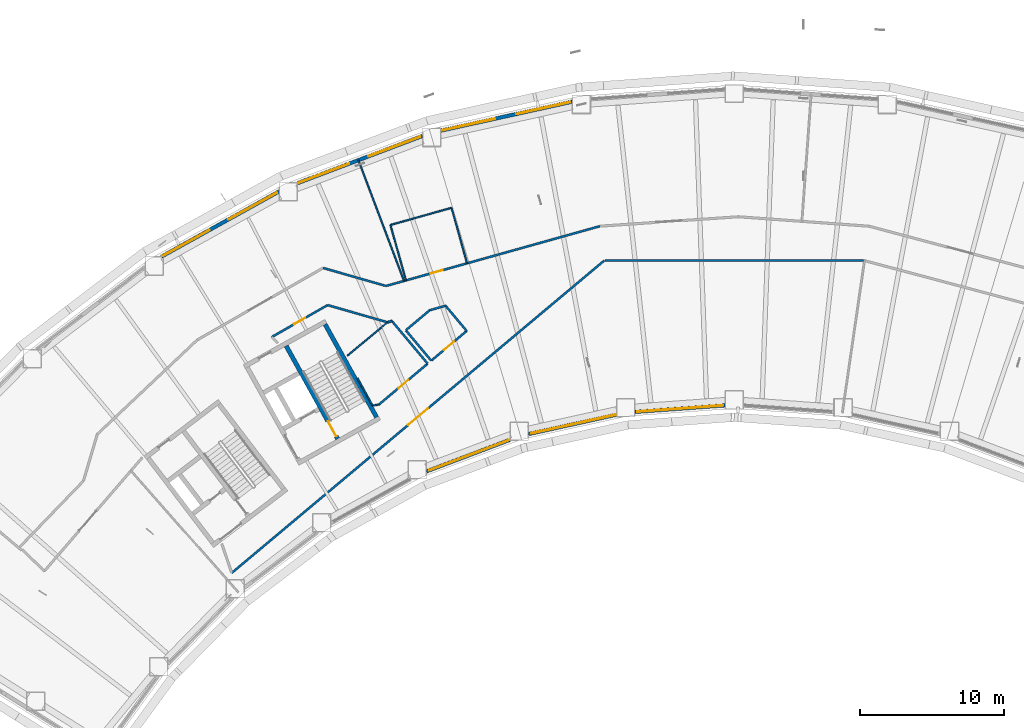
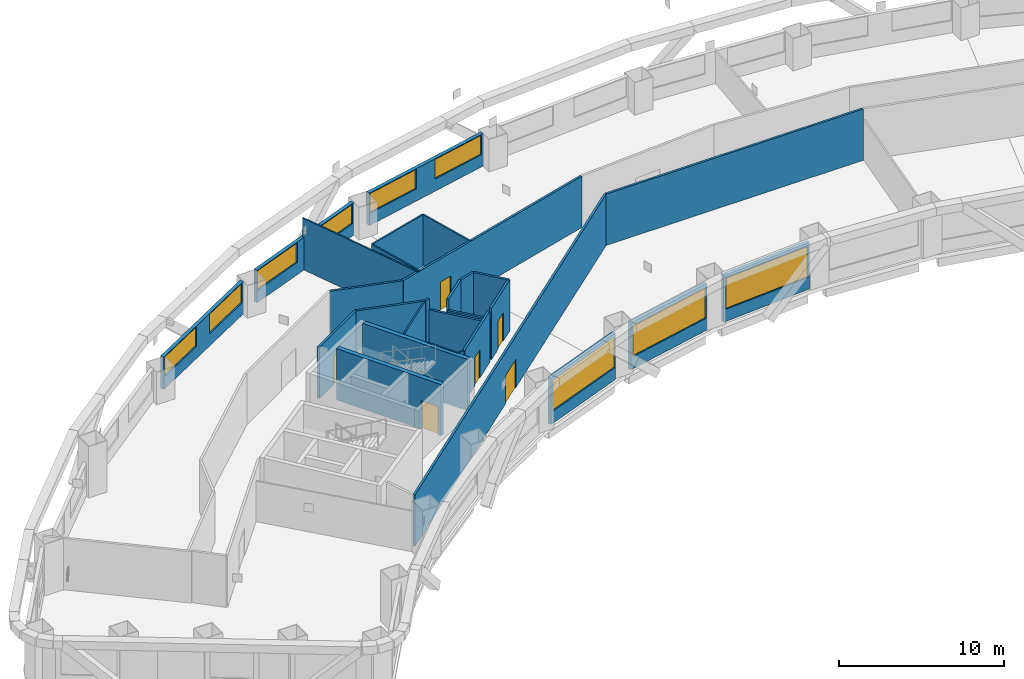
# One storey, part 4 of 19: 29 walls, 9 windows, 6 doors, 15 openings.
"""IFC4 building model written with IfcOpenShell, lengths in metres."""

from ifc_helpers import new_model, si_unit, direction, frame, frame_2d, origin, place, context, subcontext, project, spatial, rectangle, extrude, material, layer, layer_set, type_object, element, fill, save


model = new_model("IFC4")

# Units and contexts
model_context = context("Model", 3, precision=1e-05, world=origin(), true_north=direction((0.0, 1.0)))
body_context = subcontext(model_context, "Body", "Model", "MODEL_VIEW")
ifc_project = project(units=[si_unit("LENGTHUNIT", "METRE"), si_unit("AREAUNIT", "SQUARE_METRE"), si_unit("VOLUMEUNIT", "CUBIC_METRE"), si_unit("PLANEANGLEUNIT", "RADIAN"), si_unit("MASSUNIT", "GRAM", prefix="KILO")], contexts=[model_context])

# Site, building, storey
site_placement = place(None, origin())
site = spatial("IfcSite", under=ifc_project, at=site_placement, CompositionType="ELEMENT")
building_placement = place(site_placement, origin())
building = spatial("IfcBuilding", under=site, at=building_placement, Name="Tuul Gate Civic Tower", CompositionType="ELEMENT")
storey_placement = place(building_placement, frame((0.0, 0.0, 56.699951171875)))
storey = spatial("IfcBuildingStorey", under=building, at=storey_placement, Name="Level 12", CompositionType="ELEMENT", Elevation=56.699951171875)

# Wall
ifc_material_1 = material(Name="Concrete C50/60", Category="concrete")
ifc_layer_1 = layer(ifc_material_1, 0.300048828125)
ifc_layer_set_1 = layer_set([ifc_layer_1], Name="Concrete C50/60")
wall_type_1 = type_object("IfcWallType", Name="Core wall C50/60", PredefinedType="SHEAR", material=ifc_layer_set_1)
wall_1_placement = place(storey_placement, frame((-24.91552734375, -8.6572265625, 0.0), z_axis=(0.0, 0.0, 1.0), x_axis=(-0.484777133038, 0.874637714304, 0.0)))
element("IfcWall", 1, at=wall_1_placement, inside=storey, type_object=wall_type_1, Name="Core wall", PredefinedType="SHEAR", context=body_context, shape_type="SweptSolid", body=[
    extrude(rectangle(XDim=7.400146484375, YDim=0.300048828125, at=frame_2d((3.7001953125, 0.0))), origin(), (0.0, 0.0, 1.0), 3.800048828125),
])

# Wall, opening, door
wall_2_placement = place(storey_placement, frame((-27.626953125, -10.16015625, 0.0), z_axis=(0.0, 0.0, 1.0), x_axis=(-0.484751894226, 0.874651702704, 0.0)))
wall_2 = element("IfcWall", 2, at=wall_2_placement, inside=storey, type_object=wall_type_1, Name="Core wall", PredefinedType="SHEAR", context=body_context, shape_type="SweptSolid", body=[
    extrude(rectangle(XDim=7.39990234375, YDim=0.300048828125, at=frame_2d((3.699951171875, 0.0))), origin(), (0.0, 0.0, 1.0), 3.800048828125),
])
opening_1_placement = place(wall_2_placement, frame((0.199951171875, 0.0, 0.0)))
opening_1 = element("IfcOpeningElement", 3, at=opening_1_placement, cuts=wall_2, Name="Opening SD-ST-2", PredefinedType="OPENING", context=body_context, shape_type="SweptSolid", body=[
    extrude(rectangle(XDim=1.199951171875, YDim=2.10009765625, at=frame_2d((0.60009765625, 1.050048828125))), frame((0.0, 0.16015625, 0.0), z_axis=(0.0, -1.0, 0.0), x_axis=(1.0, 0.0, 0.0)), (0.0, 0.0, 1.0), 0.320068359375),
])
ifc_material_2 = material(Name="Steel", Category="steel")
door_type_1 = type_object("IfcDoorType", Name="Stair door", OperationType="NOTDEFINED", PredefinedType="DOOR", material=ifc_material_2)
door_1_placement = place(opening_1_placement, origin())
door_1 = element("IfcDoor", 4, at=door_1_placement, inside=storey, type_object=door_type_1, Name="Stair door ST-2", OperationType="SINGLE_SWING_LEFT", OverallHeight=2.10009765625, OverallWidth=1.199951171875, PredefinedType="DOOR", context=body_context, shape_type="SweptSolid", body=[
    extrude(rectangle(XDim=1.199951171875, YDim=2.10009765625, at=frame_2d((0.60009765625, 1.050048828125))), frame((0.0, 0.02490234375, 0.0), z_axis=(0.0, -1.0, 0.0), x_axis=(1.0, 0.0, 0.0)), (0.0, 0.0, 1.0), 0.050048828125),
])
fill(opening_1, door_1)

ifc_material_3 = material(Name="Gypsum board partition")
ifc_layer_2 = layer(ifc_material_3, 0.14990234375)
ifc_layer_set_2 = layer_set([ifc_layer_2], Name="Gypsum board partition")
wall_type_2 = type_object("IfcWallType", Name="Corridor wall P150", PredefinedType="PARTITIONING", material=ifc_layer_set_2)
wall_3_placement = place(storey_placement, frame((-24.25439453125, 0.48583984375, 0.0), z_axis=(0.0, 0.0, 1.0), x_axis=(0.963074488141, 0.269235083694, 0.0)))
wall_3 = element("IfcWall", 5, at=wall_3_placement, inside=storey, type_object=wall_type_2, Name="p030", PredefinedType="PARTITIONING", context=body_context, shape_type="SweptSolid", body=[
    extrude(rectangle(XDim=15.458984375, YDim=0.14990234375, at=frame_2d((7.7294921875, 0.0))), origin(), (0.0, 0.0, 1.0), 3.800048828125),
])
opening_2_placement = place(wall_3_placement, frame((3.197021484375, 0.0, 0.0)))
opening_2 = element("IfcOpeningElement", 6, at=opening_2_placement, cuts=wall_3, Name="Opening C-D04", PredefinedType="OPENING", context=body_context, shape_type="SweptSolid", body=[
    extrude(rectangle(XDim=0.89990234375, YDim=2.10009765625, at=frame_2d((0.449951171875, 1.050048828125))), frame((0.0, 0.0849609375, 0.0), z_axis=(0.0, -1.0, 0.0), x_axis=(1.0, 0.0, 0.0)), (0.0, 0.0, 1.0), 0.169921875),
])
ifc_material_4 = material(Name="Timber door leaf", Category="wood")
door_type_2 = type_object("IfcDoorType", Name="Door D09", OperationType="NOTDEFINED", PredefinedType="DOOR", material=ifc_material_4)
door_2_placement = place(opening_2_placement, origin())
door_2 = element("IfcDoor", 7, at=door_2_placement, inside=storey, type_object=door_type_2, Name="Door C-D04", OperationType="SINGLE_SWING_RIGHT", OverallHeight=2.10009765625, OverallWidth=0.89990234375, PredefinedType="DOOR", context=body_context, shape_type="SweptSolid", body=[
    extrude(rectangle(XDim=0.89990234375, YDim=2.10009765625, at=frame_2d((0.449951171875, 1.050048828125))), frame((0.0, 0.02490234375, 0.0), z_axis=(0.0, -1.0, 0.0), x_axis=(1.0, 0.0, 0.0)), (0.0, 0.0, 1.0), 0.050048828125),
])
fill(opening_2, door_2)

# Wall
wall_4_placement = place(storey_placement, frame((-28.640380859375, 1.739501953125, 0.0), z_axis=(0.0, 0.0, 1.0), x_axis=(0.961286670839, -0.275550243092, 0.0)))
element("IfcWall", 8, at=wall_4_placement, inside=storey, type_object=wall_type_2, Name="p034", PredefinedType="PARTITIONING", context=body_context, shape_type="SweptSolid", body=[
    extrude(rectangle(XDim=4.549560546875, YDim=0.14990234375, at=frame_2d((2.27490234375, 0.0))), origin(), (0.0, 0.0, 1.0), 3.800048828125),
])

# Wall, opening, door
wall_5_placement = place(storey_placement, frame((-35.001220703125, -19.499755859375, 0.0), z_axis=(0.0, 0.0, 1.0), x_axis=(0.766239076783, 0.642555582973, 0.0)))
wall_5 = element("IfcWall", 9, at=wall_5_placement, inside=storey, type_object=wall_type_2, Name="p049", PredefinedType="PARTITIONING", context=body_context, shape_type="SweptSolid", body=[
    extrude(rectangle(XDim=33.8525390625, YDim=0.14990234375, at=frame_2d((16.92626953125, 0.0))), origin(), (0.0, 0.0, 1.0), 3.800048828125),
])
opening_3_placement = place(wall_5_placement, frame((16.026123046875, 0.0, 0.0)))
opening_3 = element("IfcOpeningElement", 10, at=opening_3_placement, cuts=wall_5, Name="Opening C-D08", PredefinedType="OPENING", context=body_context, shape_type="SweptSolid", body=[
    extrude(rectangle(XDim=1.800048828125, YDim=2.10009765625, at=frame_2d((0.89990234375, 1.050048828125))), frame((0.0, 0.0849609375, 0.0), z_axis=(0.0, -1.0, 0.0), x_axis=(1.0, 0.0, 0.0)), (0.0, 0.0, 1.0), 0.169921875),
])
ifc_material_5 = material(Name="Timber door leaf, double", Category="wood")
door_type_3 = type_object("IfcDoorType", Name="Door D18", OperationType="DOUBLE_DOOR_SINGLE_SWING", PredefinedType="DOOR", material=ifc_material_5)
door_3_placement = place(opening_3_placement, frame((1.800048828125, 0.0, 0.0), z_axis=(0.0, 0.0, 1.0), x_axis=(-1.0, 0.0, 0.0)))
door_3 = element("IfcDoor", 11, at=door_3_placement, inside=storey, type_object=door_type_3, Name="Door C-D08", OperationType="DOUBLE_DOOR_SINGLE_SWING", OverallHeight=2.10009765625, OverallWidth=1.800048828125, PredefinedType="DOOR", context=body_context, shape_type="SweptSolid", body=[
    extrude(rectangle(XDim=1.800048828125, YDim=2.10009765625, at=frame_2d((0.900146484375, 1.050048828125))), frame((0.0, 0.02490234375, 0.0), z_axis=(0.0, -1.0, 0.0), x_axis=(1.0, 0.0, 0.0)), (0.0, 0.0, 1.0), 0.050048828125),
])
fill(opening_3, door_3)

# Walls
wall_6_placement = place(storey_placement, frame((-24.15625, -2.04248046875, 0.0), z_axis=(0.0, 0.0, 1.0), x_axis=(0.961698087877, 0.274110904151, 0.0)))
element("IfcWall", 12, at=wall_6_placement, inside=storey, type_object=wall_type_2, Name="p050", PredefinedType="PARTITIONING", context=body_context, shape_type="SweptSolid", body=[
    extrude(rectangle(XDim=0.317138671875, YDim=0.14990234375, at=frame_2d((0.15869140625, 0.0))), origin(), (0.0, 0.0, 1.0), 3.800048828125),
])
wall_7_placement = place(storey_placement, frame((-21.215576171875, -1.205078125, 0.0), z_axis=(0.0, 0.0, 1.0), x_axis=(0.961844919468, 0.273595231856, 0.0)))
element("IfcWall", 13, at=wall_7_placement, inside=storey, type_object=wall_type_2, Name="p051", PredefinedType="PARTITIONING", context=body_context, shape_type="SweptSolid", body=[
    extrude(rectangle(XDim=1.145751953125, YDim=0.14990234375, at=frame_2d((0.57275390625, 0.0))), origin(), (0.0, 0.0, 1.0), 3.800048828125),
])
wall_8_placement = place(storey_placement, frame((-9.018310546875, 2.265869140625, 0.0), z_axis=(0.0, 0.0, 1.0), x_axis=(0.999999990811, 0.000135561971, 0.0)))
element("IfcWall", 14, at=wall_8_placement, inside=storey, type_object=wall_type_2, Name="p052", PredefinedType="PARTITIONING", context=body_context, shape_type="SweptSolid", body=[
    extrude(rectangle(XDim=18.009521484375, YDim=0.14990234375, at=frame_2d((9.0048828125, 0.0))), origin(), (0.0, 0.0, 1.0), 3.800048828125),
])
wall_9_placement = place(storey_placement, frame((-20.113525390625, -0.8916015625, 0.0), z_axis=(0.0, 0.0, 1.0), x_axis=(0.642569904563, -0.766227066704, 0.0)))
element("IfcWall", 15, at=wall_9_placement, inside=storey, type_object=wall_type_2, Name="p053", PredefinedType="PARTITIONING", context=body_context, shape_type="SweptSolid", body=[
    extrude(rectangle(XDim=2.292236328125, YDim=0.14990234375, at=frame_2d((1.14599609375, 0.0))), origin(), (0.0, 0.0, 1.0), 3.800048828125),
])

# Wall, opening, door
wall_10_placement = place(storey_placement, frame((-24.7529296875, -7.773681640625, 0.0), z_axis=(0.0, 0.0, 1.0), x_axis=(0.766230053811, 0.642566342595, 0.0)))
wall_10 = element("IfcWall", 16, at=wall_10_placement, inside=storey, type_object=wall_type_2, Name="p054", PredefinedType="PARTITIONING", context=body_context, shape_type="SweptSolid", body=[
    extrude(rectangle(XDim=4.43017578125, YDim=0.14990234375, at=frame_2d((2.215087890625, 0.0))), origin(), (0.0, 0.0, 1.0), 3.800048828125),
])
opening_4_placement = place(wall_10_placement, frame((1.764892578125, 0.0, 0.0)))
opening_4 = element("IfcOpeningElement", 17, at=opening_4_placement, cuts=wall_10, Name="Opening C-D11", PredefinedType="OPENING", context=body_context, shape_type="SweptSolid", body=[
    extrude(rectangle(XDim=0.89990234375, YDim=2.10009765625, at=frame_2d((0.449951171875, 1.050048828125))), frame((0.0, 0.0849609375, 0.0), z_axis=(0.0, -1.0, 0.0), x_axis=(1.0, 0.0, 0.0)), (0.0, 0.0, 1.0), 0.169921875),
])
door_4_placement = place(opening_4_placement, origin())
door_4 = element("IfcDoor", 18, at=door_4_placement, inside=storey, type_object=door_type_2, Name="Door C-D11", OperationType="SINGLE_SWING_RIGHT", OverallHeight=2.10009765625, OverallWidth=0.89990234375, PredefinedType="DOOR", context=body_context, shape_type="SweptSolid", body=[
    extrude(rectangle(XDim=0.89990234375, YDim=2.10009765625, at=frame_2d((0.449951171875, 1.050048828125))), frame((0.0, 0.02490234375, 0.0), z_axis=(0.0, -1.0, 0.0), x_axis=(1.0, 0.0, 0.0)), (0.0, 0.0, 1.0), 0.050048828125),
])
fill(opening_4, door_4)

wall_11_placement = place(storey_placement, frame((-21.10791015625, -4.717041015625, 0.0), z_axis=(0.0, 0.0, 1.0), x_axis=(0.766228872485, 0.642567751268, 0.0)))
wall_11 = element("IfcWall", 19, at=wall_11_placement, inside=storey, type_object=wall_type_2, Name="p055", PredefinedType="PARTITIONING", context=body_context, shape_type="SweptSolid", body=[
    extrude(rectangle(XDim=3.219970703125, YDim=0.14990234375, at=frame_2d((1.60986328125, 0.0))), origin(), (0.0, 0.0, 1.0), 3.800048828125),
])
opening_5_placement = place(wall_11_placement, frame((1.159912109375, 0.0, 0.0)))
opening_5 = element("IfcOpeningElement", 20, at=opening_5_placement, cuts=wall_11, Name="Opening C-D10", PredefinedType="OPENING", context=body_context, shape_type="SweptSolid", body=[
    extrude(rectangle(XDim=0.89990234375, YDim=2.10009765625, at=frame_2d((0.449951171875, 1.050048828125))), frame((0.0, 0.0849609375, 0.0), z_axis=(0.0, -1.0, 0.0), x_axis=(1.0, 0.0, 0.0)), (0.0, 0.0, 1.0), 0.169921875),
])
door_5_placement = place(opening_5_placement, origin())
door_5 = element("IfcDoor", 21, at=door_5_placement, inside=storey, type_object=door_type_2, Name="Door C-D10", OperationType="SINGLE_SWING_RIGHT", OverallHeight=2.10009765625, OverallWidth=0.89990234375, PredefinedType="DOOR", context=body_context, shape_type="SweptSolid", body=[
    extrude(rectangle(XDim=0.89990234375, YDim=2.10009765625, at=frame_2d((0.449951171875, 1.050048828125))), frame((0.0, 0.02490234375, 0.0), z_axis=(0.0, -1.0, 0.0), x_axis=(1.0, 0.0, 0.0)), (0.0, 0.0, 1.0), 0.050048828125),
])
fill(opening_5, door_5)

# Walls
wall_12_placement = place(storey_placement, frame((-22.88134765625, -2.602294921875, 0.0), z_axis=(0.0, 0.0, 1.0), x_axis=(0.766164790062, 0.642644158512, 0.0)))
element("IfcWall", 22, at=wall_12_placement, inside=storey, type_object=wall_type_2, Name="p057", PredefinedType="PARTITIONING", context=body_context, shape_type="SweptSolid", body=[
    extrude(rectangle(XDim=2.174072265625, YDim=0.14990234375, at=frame_2d((1.0869140625, 0.0))), origin(), (0.0, 0.0, 1.0), 3.800048828125),
])
wall_13_placement = place(storey_placement, frame((-28.328857421875, -0.8466796875, 0.0), z_axis=(0.0, 0.0, 1.0), x_axis=(0.961313524607, -0.275456543593, 0.0)))
element("IfcWall", 23, at=wall_13_placement, inside=storey, type_object=wall_type_2, Name="p059", PredefinedType="PARTITIONING", context=body_context, shape_type="SweptSolid", body=[
    extrude(rectangle(XDim=4.34033203125, YDim=0.14990234375, at=frame_2d((2.170166015625, 0.0))), origin(), (0.0, 0.0, 1.0), 3.800048828125),
])

# Wall, opening, door
wall_14_placement = place(storey_placement, frame((-32.216552734375, -3.0703125, 0.0), z_axis=(0.0, 0.0, 1.0), x_axis=(0.868041797292, 0.496491125957, 0.0)))
wall_14 = element("IfcWall", 24, at=wall_14_placement, inside=storey, type_object=wall_type_2, Name="p060", PredefinedType="PARTITIONING", context=body_context, shape_type="SweptSolid", body=[
    extrude(rectangle(XDim=4.478759765625, YDim=0.14990234375, at=frame_2d((2.2392578125, 0.0))), origin(), (0.0, 0.0, 1.0), 3.800048828125),
])
opening_6_placement = place(wall_14_placement, frame((1.789306640625, 0.0, 0.0)))
opening_6 = element("IfcOpeningElement", 25, at=opening_6_placement, cuts=wall_14, Name="Opening C-D12", PredefinedType="OPENING", context=body_context, shape_type="SweptSolid", body=[
    extrude(rectangle(XDim=0.89990234375, YDim=2.10009765625, at=frame_2d((0.449951171875, 1.050048828125))), frame((0.0, 0.0849609375, 0.0), z_axis=(0.0, -1.0, 0.0), x_axis=(1.0, 0.0, 0.0)), (0.0, 0.0, 1.0), 0.169921875),
])
door_6_placement = place(opening_6_placement, origin())
door_6 = element("IfcDoor", 26, at=door_6_placement, inside=storey, type_object=door_type_2, Name="Door C-D12", OperationType="SINGLE_SWING_RIGHT", OverallHeight=2.10009765625, OverallWidth=0.89990234375, PredefinedType="DOOR", context=body_context, shape_type="SweptSolid", body=[
    extrude(rectangle(XDim=0.89990234375, YDim=2.10009765625, at=frame_2d((0.449951171875, 1.050048828125))), frame((0.0, 0.02490234375, 0.0), z_axis=(0.0, -1.0, 0.0), x_axis=(1.0, 0.0, 0.0)), (0.0, 0.0, 1.0), 0.050048828125),
])
fill(opening_6, door_6)

# Walls
ifc_material_6 = material(Name="Gypsum board partition")
ifc_layer_3 = layer(ifc_material_6, 0.14990234375)
ifc_layer_set_3 = layer_set([ifc_layer_3], Name="Gypsum board partition")
wall_type_3 = type_object("IfcWallType", Name="Corridor wall P150 3000 HIGH", PredefinedType="PARTITIONING", material=ifc_layer_set_3)
wall_15_placement = place(storey_placement, frame((-22.88134765625, -2.602294921875, 0.0), z_axis=(0.0, 0.0, 1.0), x_axis=(0.642565356488, -0.766230880768, 0.0)))
element("IfcWall", 27, at=wall_15_placement, inside=storey, type_object=wall_type_3, Name="p056", PredefinedType="PARTITIONING", context=body_context, shape_type="SweptSolid", body=[
    extrude(rectangle(XDim=2.760009765625, YDim=0.14990234375, at=frame_2d((1.3798828125, 0.0))), origin(), (0.0, 0.0, 1.0), 3.0),
])
wall_16_placement = place(storey_placement, frame((-23.851318359375, -1.95556640625, 0.0), z_axis=(0.0, 0.0, 1.0), x_axis=(0.642725493396, -0.766096560584, 0.0)))
element("IfcWall", 28, at=wall_16_placement, inside=storey, type_object=wall_type_3, Name="p058", PredefinedType="PARTITIONING", context=body_context, shape_type="SweptSolid", body=[
    extrude(rectangle(XDim=3.878662109375, YDim=0.14990234375, at=frame_2d((1.939453125, 0.0))), origin(), (0.0, 0.0, 1.0), 3.0),
])

# Wall, opening, window
ifc_material_7 = material(Name="Precast concrete C40/50", Category="concrete")
ifc_layer_4 = layer(ifc_material_7, 0.25)
ifc_layer_set_4 = layer_set([ifc_layer_4], Name="Precast concrete C40/50")
wall_type_4 = type_object("IfcWallType", Name="External wall", PredefinedType="STANDARD", material=ifc_layer_set_4)
wall_17_placement = place(storey_placement, frame((-21.43701171875, -12.426513671875, 0.0), z_axis=(0.0, 0.0, 1.0), x_axis=(0.935359836581, 0.353697577193, 0.0)))
wall_17 = element("IfcWall", 29, at=wall_17_placement, inside=storey, type_object=wall_type_4, Name="External wall", PredefinedType="STANDARD", context=body_context, shape_type="SweptSolid", body=[
    extrude(rectangle(XDim=6.201904296875, YDim=0.25, at=frame_2d((3.10107421875, 0.0))), origin(), (0.0, 0.0, 1.0), 3.449951171875),
])
opening_7_placement = place(wall_17_placement, frame((0.2060546875, 0.0, 0.89990234375)))
opening_7 = element("IfcOpeningElement", 30, at=opening_7_placement, cuts=wall_17, Name="Opening W101", PredefinedType="OPENING", context=body_context, shape_type="SweptSolid", body=[
    extrude(rectangle(XDim=5.949951171875, YDim=2.300048828125, at=frame_2d((2.97509765625, 1.14990234375))), frame((0.0, 0.135009765625, 0.0), z_axis=(0.0, -1.0, 0.0), x_axis=(1.0, 0.0, 0.0)), (0.0, 0.0, 1.0), 0.27001953125),
])
ifc_material_8 = material(Name="Glass", Category="glass")
window_type_1 = type_object("IfcWindowType", Name="Window W101 5950 x 2300", PartitioningType="SINGLE_PANEL", PredefinedType="WINDOW", material=ifc_material_8)
window_1_placement = place(opening_7_placement, origin())
window_1 = element("IfcWindow", 31, at=window_1_placement, inside=storey, type_object=window_type_1, Name="Window", OverallHeight=2.300048828125, OverallWidth=5.949951171875, PartitioningType="SINGLE_PANEL", PredefinedType="WINDOW", context=body_context, shape_type="SweptSolid", body=[
    extrude(rectangle(XDim=5.949951171875, YDim=2.300048828125, at=frame_2d((2.97509765625, 1.14990234375))), frame((0.0, 0.030029296875, 0.0), z_axis=(0.0, -1.0, 0.0), x_axis=(1.0, 0.0, 0.0)), (0.0, 0.0, 1.0), 0.06005859375),
])
fill(opening_7, window_1)

wall_18_placement = place(storey_placement, frame((-14.3359375, -9.8291015625, 0.0), z_axis=(0.0, 0.0, 1.0), x_axis=(0.97656633669, 0.215216611915, 0.0)))
wall_18 = element("IfcWall", 32, at=wall_18_placement, inside=storey, type_object=wall_type_4, Name="External wall", PredefinedType="STANDARD", context=body_context, shape_type="SweptSolid", body=[
    extrude(rectangle(XDim=6.2607421875, YDim=0.25, at=frame_2d((3.13037109375, 0.0))), origin(), (0.0, 0.0, 1.0), 3.449951171875),
])
opening_8_placement = place(wall_18_placement, frame((0.2021484375, 0.0, 0.89990234375)))
opening_8 = element("IfcOpeningElement", 33, at=opening_8_placement, cuts=wall_18, Name="Opening W26", PredefinedType="OPENING", context=body_context, shape_type="SweptSolid", body=[
    extrude(rectangle(XDim=6.0, YDim=2.300048828125, at=frame_2d((3.0, 1.14990234375))), frame((0.0, 0.135009765625, 0.0), z_axis=(0.0, -1.0, 0.0), x_axis=(1.0, 0.0, 0.0)), (0.0, 0.0, 1.0), 0.27001953125),
])
ifc_material_9 = material(Name="Glass", Category="glass")
window_type_2 = type_object("IfcWindowType", Name="Window W26 6000 x 2300", PartitioningType="SINGLE_PANEL", PredefinedType="WINDOW", material=ifc_material_9)
window_2_placement = place(opening_8_placement, origin())
window_2 = element("IfcWindow", 34, at=window_2_placement, inside=storey, type_object=window_type_2, Name="Window", OverallHeight=2.300048828125, OverallWidth=6.0, PartitioningType="SINGLE_PANEL", PredefinedType="WINDOW", context=body_context, shape_type="SweptSolid", body=[
    extrude(rectangle(XDim=6.0, YDim=2.300048828125, at=frame_2d((3.0, 1.14990234375))), frame((0.0, 0.030029296875, 0.0), z_axis=(0.0, -1.0, 0.0), x_axis=(1.0, 0.0, 0.0)), (0.0, 0.0, 1.0), 0.06005859375),
])
fill(opening_8, window_2)

wall_19_placement = place(storey_placement, frame((-6.922119140625, -8.284423828125, 0.0), z_axis=(0.0, 0.0, 1.0), x_axis=(0.997395047269, 0.072132653374, 0.0)))
wall_19 = element("IfcWall", 35, at=wall_19_placement, inside=storey, type_object=wall_type_4, Name="External wall", PredefinedType="STANDARD", context=body_context, shape_type="SweptSolid", body=[
    extrude(rectangle(XDim=6.28857421875, YDim=0.25, at=frame_2d((3.144287109375, 0.0))), origin(), (0.0, 0.0, 1.0), 3.449951171875),
])
opening_9_placement = place(wall_19_placement, frame((0.167724609375, 0.0, 0.89990234375)))
opening_9 = element("IfcOpeningElement", 36, at=opening_9_placement, cuts=wall_19, Name="Opening W26", PredefinedType="OPENING", context=body_context, shape_type="SweptSolid", body=[
    extrude(rectangle(XDim=6.0, YDim=2.300048828125, at=frame_2d((3.0, 1.14990234375))), frame((0.0, 0.135009765625, 0.0), z_axis=(0.0, -1.0, 0.0), x_axis=(1.0, 0.0, 0.0)), (0.0, 0.0, 1.0), 0.27001953125),
])
window_3_placement = place(opening_9_placement, origin())
window_3 = element("IfcWindow", 37, at=window_3_placement, inside=storey, type_object=window_type_2, Name="Window", OverallHeight=2.300048828125, OverallWidth=6.0, PartitioningType="SINGLE_PANEL", PredefinedType="WINDOW", context=body_context, shape_type="SweptSolid", body=[
    extrude(rectangle(XDim=6.0, YDim=2.300048828125, at=frame_2d((3.0, 1.14990234375))), frame((0.0, 0.030029296875, 0.0), z_axis=(0.0, -1.0, 0.0), x_axis=(1.0, 0.0, 0.0)), (0.0, 0.0, 1.0), 0.06005859375),
])
fill(opening_9, window_3)

# Wall, openings, windows
ifc_material_10 = material(Name="Precast concrete C40/50", Category="concrete")
ifc_layer_5 = layer(ifc_material_10, 0.25)
ifc_layer_set_5 = layer_set([ifc_layer_5], Name="Precast concrete C40/50")
wall_type_5 = type_object("IfcWallType", Name="External wall 2400 HIGH", PredefinedType="STANDARD", material=ifc_layer_set_5)
wall_20_placement = place(storey_placement, frame((-11.299072265625, 13.317138671875, 0.0), z_axis=(0.0, 0.0, 1.0), x_axis=(-0.97654219172, -0.215326142841, 0.0)))
wall_20 = element("IfcWall", 38, at=wall_20_placement, inside=storey, type_object=wall_type_5, Name="External wall", PredefinedType="STANDARD", context=body_context, shape_type="SweptSolid", body=[
    extrude(rectangle(XDim=9.34716796875, YDim=0.25, at=frame_2d((4.673583984375, 0.0))), origin(), (0.0, 0.0, 1.0), 2.400146484375),
])
opening_10_placement = place(wall_20_placement, frame((0.134033203125, 0.0, 0.89990234375)))
opening_10 = element("IfcOpeningElement", 39, at=opening_10_placement, cuts=wall_20, Name="Opening W103", PredefinedType="OPENING", context=body_context, shape_type="SweptSolid", body=[
    extrude(rectangle(XDim=3.85009765625, YDim=1.449951171875, at=frame_2d((1.925048828125, 0.72509765625))), frame((0.0, 0.135009765625, 0.0), z_axis=(0.0, -1.0, 0.0), x_axis=(1.0, 0.0, 0.0)), (0.0, 0.0, 1.0), 0.27001953125),
])
opening_11_placement = place(wall_20_placement, frame((5.5029296875, 0.0, 0.89990234375)))
opening_11 = element("IfcOpeningElement", 40, at=opening_11_placement, cuts=wall_20, Name="Opening W105", PredefinedType="OPENING", context=body_context, shape_type="SweptSolid", body=[
    extrude(rectangle(XDim=3.800048828125, YDim=1.449951171875, at=frame_2d((1.89990234375, 0.72509765625))), frame((0.0, 0.135009765625, 0.0), z_axis=(0.0, -1.0, 0.0), x_axis=(1.0, 0.0, 0.0)), (0.0, 0.0, 1.0), 0.27001953125),
])
ifc_material_11 = material(Name="Glass", Category="glass")
window_type_3 = type_object("IfcWindowType", Name="Window W103 3850 x 1450", PartitioningType="SINGLE_PANEL", PredefinedType="WINDOW", material=ifc_material_11)
window_4_placement = place(opening_10_placement, origin())
window_4 = element("IfcWindow", 41, at=window_4_placement, inside=storey, type_object=window_type_3, Name="Window", OverallHeight=1.449951171875, OverallWidth=3.85009765625, PartitioningType="SINGLE_PANEL", PredefinedType="WINDOW", context=body_context, shape_type="SweptSolid", body=[
    extrude(rectangle(XDim=3.85009765625, YDim=1.449951171875, at=frame_2d((1.925048828125, 0.72509765625))), frame((0.0, 0.030029296875, 0.0), z_axis=(0.0, -1.0, 0.0), x_axis=(1.0, 0.0, 0.0)), (0.0, 0.0, 1.0), 0.06005859375),
])
fill(opening_10, window_4)
ifc_material_12 = material(Name="Glass", Category="glass")
window_type_4 = type_object("IfcWindowType", Name="Window W105 3800 x 1450", PartitioningType="SINGLE_PANEL", PredefinedType="WINDOW", material=ifc_material_12)
window_5_placement = place(opening_11_placement, origin())
window_5 = element("IfcWindow", 42, at=window_5_placement, inside=storey, type_object=window_type_4, Name="Window", OverallHeight=1.449951171875, OverallWidth=3.800048828125, PartitioningType="SINGLE_PANEL", PredefinedType="WINDOW", context=body_context, shape_type="SweptSolid", body=[
    extrude(rectangle(XDim=3.800048828125, YDim=1.449951171875, at=frame_2d((1.89990234375, 0.72509765625))), frame((0.0, 0.030029296875, 0.0), z_axis=(0.0, -1.0, 0.0), x_axis=(1.0, 0.0, 0.0)), (0.0, 0.0, 1.0), 0.06005859375),
])
fill(opening_11, window_5)

wall_21_placement = place(storey_placement, frame((-21.72705078125, 10.929931640625, 0.0), z_axis=(0.0, 0.0, 1.0), x_axis=(-0.93537723485, -0.353651563724, 0.0)))
wall_21 = element("IfcWall", 43, at=wall_21_placement, inside=storey, type_object=wall_type_5, Name="External wall", PredefinedType="STANDARD", context=body_context, shape_type="SweptSolid", body=[
    extrude(rectangle(XDim=9.287109375, YDim=0.25, at=frame_2d((4.6435546875, 0.0))), origin(), (0.0, 0.0, 1.0), 2.400146484375),
])
opening_12_placement = place(wall_21_placement, frame((0.155029296875, 0.0, 0.89990234375)))
opening_12 = element("IfcOpeningElement", 44, at=opening_12_placement, cuts=wall_21, Name="Opening W103", PredefinedType="OPENING", context=body_context, shape_type="SweptSolid", body=[
    extrude(rectangle(XDim=3.85009765625, YDim=1.449951171875, at=frame_2d((1.925048828125, 0.72509765625))), frame((0.0, 0.135009765625, 0.0), z_axis=(0.0, -1.0, 0.0), x_axis=(1.0, 0.0, 0.0)), (0.0, 0.0, 1.0), 0.27001953125),
])
opening_13_placement = place(wall_21_placement, frame((5.44091796875, 0.0, 0.89990234375)))
opening_13 = element("IfcOpeningElement", 45, at=opening_13_placement, cuts=wall_21, Name="Opening W105", PredefinedType="OPENING", context=body_context, shape_type="SweptSolid", body=[
    extrude(rectangle(XDim=3.800048828125, YDim=1.449951171875, at=frame_2d((1.89990234375, 0.72509765625))), frame((0.0, 0.135009765625, 0.0), z_axis=(0.0, -1.0, 0.0), x_axis=(1.0, 0.0, 0.0)), (0.0, 0.0, 1.0), 0.27001953125),
])
window_6_placement = place(opening_12_placement, origin())
window_6 = element("IfcWindow", 46, at=window_6_placement, inside=storey, type_object=window_type_3, Name="Window", OverallHeight=1.449951171875, OverallWidth=3.85009765625, PartitioningType="SINGLE_PANEL", PredefinedType="WINDOW", context=body_context, shape_type="SweptSolid", body=[
    extrude(rectangle(XDim=3.85009765625, YDim=1.449951171875, at=frame_2d((1.925048828125, 0.72509765625))), frame((0.0, 0.030029296875, 0.0), z_axis=(0.0, -1.0, 0.0), x_axis=(1.0, 0.0, 0.0)), (0.0, 0.0, 1.0), 0.06005859375),
])
fill(opening_12, window_6)
window_7_placement = place(opening_13_placement, origin())
window_7 = element("IfcWindow", 47, at=window_7_placement, inside=storey, type_object=window_type_4, Name="Window", OverallHeight=1.449951171875, OverallWidth=3.800048828125, PartitioningType="SINGLE_PANEL", PredefinedType="WINDOW", context=body_context, shape_type="SweptSolid", body=[
    extrude(rectangle(XDim=3.800048828125, YDim=1.449951171875, at=frame_2d((1.89990234375, 0.72509765625))), frame((0.0, 0.030029296875, 0.0), z_axis=(0.0, -1.0, 0.0), x_axis=(1.0, 0.0, 0.0)), (0.0, 0.0, 1.0), 0.06005859375),
])
fill(opening_13, window_7)

wall_22_placement = place(storey_placement, frame((-31.714111328125, 7.0634765625, 0.0), z_axis=(0.0, 0.0, 1.0), x_axis=(-0.87462564428, -0.484798909206, 0.0)))
wall_22 = element("IfcWall", 48, at=wall_22_placement, inside=storey, type_object=wall_type_5, Name="External wall", PredefinedType="STANDARD", context=body_context, shape_type="SweptSolid", body=[
    extrude(rectangle(XDim=9.35986328125, YDim=0.25, at=frame_2d((4.679931640625, 0.0))), origin(), (0.0, 0.0, 1.0), 2.400146484375),
])
opening_14_placement = place(wall_22_placement, frame((0.1640625, 0.0, 0.89990234375)))
opening_14 = element("IfcOpeningElement", 49, at=opening_14_placement, cuts=wall_22, Name="Opening W103", PredefinedType="OPENING", context=body_context, shape_type="SweptSolid", body=[
    extrude(rectangle(XDim=3.85009765625, YDim=1.449951171875, at=frame_2d((1.925048828125, 0.72509765625))), frame((0.0, 0.135009765625, 0.0), z_axis=(0.0, -1.0, 0.0), x_axis=(1.0, 0.0, 0.0)), (0.0, 0.0, 1.0), 0.27001953125),
])
opening_15_placement = place(wall_22_placement, frame((5.51708984375, 0.0, 0.89990234375)))
opening_15 = element("IfcOpeningElement", 50, at=opening_15_placement, cuts=wall_22, Name="Opening W104", PredefinedType="OPENING", context=body_context, shape_type="SweptSolid", body=[
    extrude(rectangle(XDim=3.75, YDim=1.449951171875, at=frame_2d((1.875, 0.72509765625))), frame((0.0, 0.135009765625, 0.0), z_axis=(0.0, -1.0, 0.0), x_axis=(1.0, 0.0, 0.0)), (0.0, 0.0, 1.0), 0.27001953125),
])
window_8_placement = place(opening_14_placement, origin())
window_8 = element("IfcWindow", 51, at=window_8_placement, inside=storey, type_object=window_type_3, Name="Window", OverallHeight=1.449951171875, OverallWidth=3.85009765625, PartitioningType="SINGLE_PANEL", PredefinedType="WINDOW", context=body_context, shape_type="SweptSolid", body=[
    extrude(rectangle(XDim=3.85009765625, YDim=1.449951171875, at=frame_2d((1.925048828125, 0.72509765625))), frame((0.0, 0.030029296875, 0.0), z_axis=(0.0, -1.0, 0.0), x_axis=(1.0, 0.0, 0.0)), (0.0, 0.0, 1.0), 0.06005859375),
])
fill(opening_14, window_8)
ifc_material_13 = material(Name="Glass", Category="glass")
window_type_5 = type_object("IfcWindowType", Name="Window W104 3750 x 1450", PartitioningType="SINGLE_PANEL", PredefinedType="WINDOW", material=ifc_material_13)
window_9_placement = place(opening_15_placement, origin())
window_9 = element("IfcWindow", 52, at=window_9_placement, inside=storey, type_object=window_type_5, Name="Window", OverallHeight=1.449951171875, OverallWidth=3.75, PartitioningType="SINGLE_PANEL", PredefinedType="WINDOW", context=body_context, shape_type="SweptSolid", body=[
    extrude(rectangle(XDim=3.75, YDim=1.449951171875, at=frame_2d((1.875, 0.72509765625))), frame((0.0, 0.030029296875, 0.0), z_axis=(0.0, -1.0, 0.0), x_axis=(1.0, 0.0, 0.0)), (0.0, 0.0, 1.0), 0.06005859375),
])
fill(opening_15, window_9)

# Walls
ifc_material_14 = material(Name="Gypsum board partition")
ifc_layer_6 = layer(ifc_material_14, 0.10009765625)
ifc_layer_set_6 = layer_set([ifc_layer_6], Name="Gypsum board partition")
wall_type_6 = type_object("IfcWallType", Name="Partition P100", PredefinedType="PARTITIONING", material=ifc_layer_set_6)
wall_23_placement = place(storey_placement, frame((-19.692626953125, 5.92578125, 0.0), z_axis=(0.0, 0.0, 1.0), x_axis=(0.269225760863, -0.963077094364, 0.0)))
element("IfcWall", 53, at=wall_23_placement, inside=storey, type_object=wall_type_6, Name="p026", PredefinedType="PARTITIONING", context=body_context, shape_type="SweptSolid", body=[
    extrude(rectangle(XDim=4.010986328125, YDim=0.10009765625, at=frame_2d((2.00537109375, 0.0))), origin(), (0.0, 0.0, 1.0), 3.800048828125),
])
wall_24_placement = place(storey_placement, frame((-23.951416015625, 4.7353515625, 0.0), z_axis=(0.0, 0.0, 1.0), x_axis=(0.963083192208, 0.269203946641, 0.0)))
element("IfcWall", 54, at=wall_24_placement, inside=storey, type_object=wall_type_6, Name="p027", PredefinedType="PARTITIONING", context=body_context, shape_type="SweptSolid", body=[
    extrude(rectangle(XDim=4.422119140625, YDim=0.10009765625, at=frame_2d((2.2109375, 0.0))), origin(), (0.0, 0.0, 1.0), 3.800048828125),
])
wall_25_placement = place(storey_placement, frame((-23.951416015625, 4.7353515625, 0.0), z_axis=(0.0, 0.0, 1.0), x_axis=(0.269209979196, -0.963081505949, 0.0)))
element("IfcWall", 55, at=wall_25_placement, inside=storey, type_object=wall_type_6, Name="p028", PredefinedType="PARTITIONING", context=body_context, shape_type="SweptSolid", body=[
    extrude(rectangle(XDim=4.01123046875, YDim=0.10009765625, at=frame_2d((2.005615234375, 0.0))), origin(), (0.0, 0.0, 1.0), 3.800048828125),
])
wall_26_placement = place(storey_placement, frame((-26.186767578125, 9.249267578125, 0.0), z_axis=(0.0, 0.0, 1.0), x_axis=(0.353715637754, -0.935353006949, 0.0)))
element("IfcWall", 56, at=wall_26_placement, inside=storey, type_object=wall_type_6, Name="p029", PredefinedType="PARTITIONING", context=body_context, shape_type="SweptSolid", body=[
    extrude(rectangle(XDim=8.99560546875, YDim=0.10009765625, at=frame_2d((4.497802734375, 0.0))), origin(), (0.0, 0.0, 1.0), 3.800048828125),
])
wall_27_placement = place(storey_placement, frame((-26.944091796875, -4.378662109375, 0.0), z_axis=(0.0, 0.0, 1.0), x_axis=(0.766114754609, 0.642703806408, 0.0)))
element("IfcWall", 57, at=wall_27_placement, inside=storey, type_object=wall_type_6, Name="p062", PredefinedType="PARTITIONING", context=body_context, shape_type="SweptSolid", body=[
    extrude(rectangle(XDim=3.635986328125, YDim=0.10009765625, at=frame_2d((1.81787109375, 0.0))), origin(), (0.0, 0.0, 1.0), 3.800048828125),
])
wall_28_placement = place(storey_placement, frame((-25.18310546875, -7.865234375, 0.0), z_axis=(0.0, 0.0, 1.0), x_axis=(-0.484782817144, 0.874634563805, 0.0)))
element("IfcWall", 58, at=wall_28_placement, inside=storey, type_object=wall_type_6, Name="p063", PredefinedType="PARTITIONING", context=body_context, shape_type="SweptSolid", body=[
    extrude(rectangle(XDim=2.193603515625, YDim=0.10009765625, at=frame_2d((1.0966796875, 0.0))), origin(), (0.0, 0.0, 1.0), 3.800048828125),
])
wall_29_placement = place(storey_placement, frame((-24.7529296875, -7.773681640625, 0.0), z_axis=(0.0, 0.0, 1.0), x_axis=(-0.985138584979, -0.17176137047, 0.0)))
element("IfcWall", 59, at=wall_29_placement, inside=storey, type_object=wall_type_6, Name="p064", PredefinedType="PARTITIONING", context=body_context, shape_type="SweptSolid", body=[
    extrude(rectangle(XDim=0.392333984375, YDim=0.10009765625, at=frame_2d((0.1962890625, 0.0))), origin(), (0.0, 0.0, 1.0), 3.800048828125),
])

save(model, "model.ifc")
